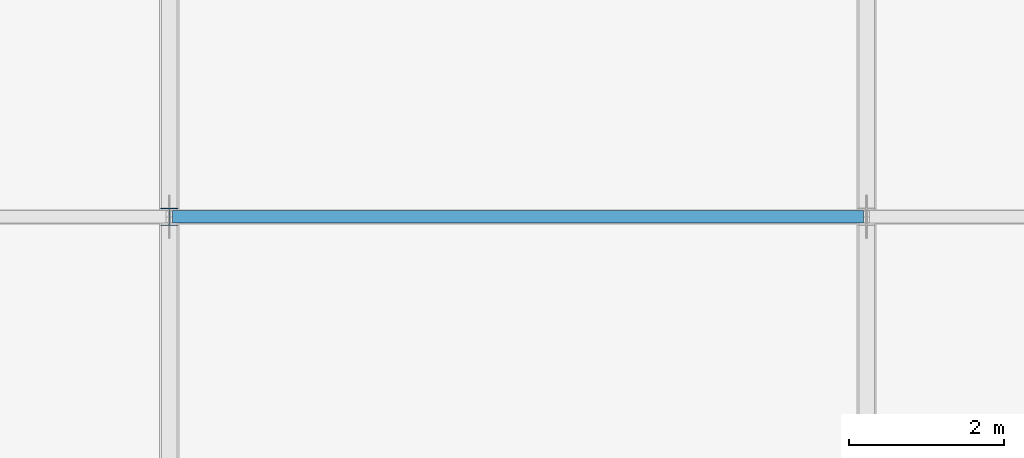
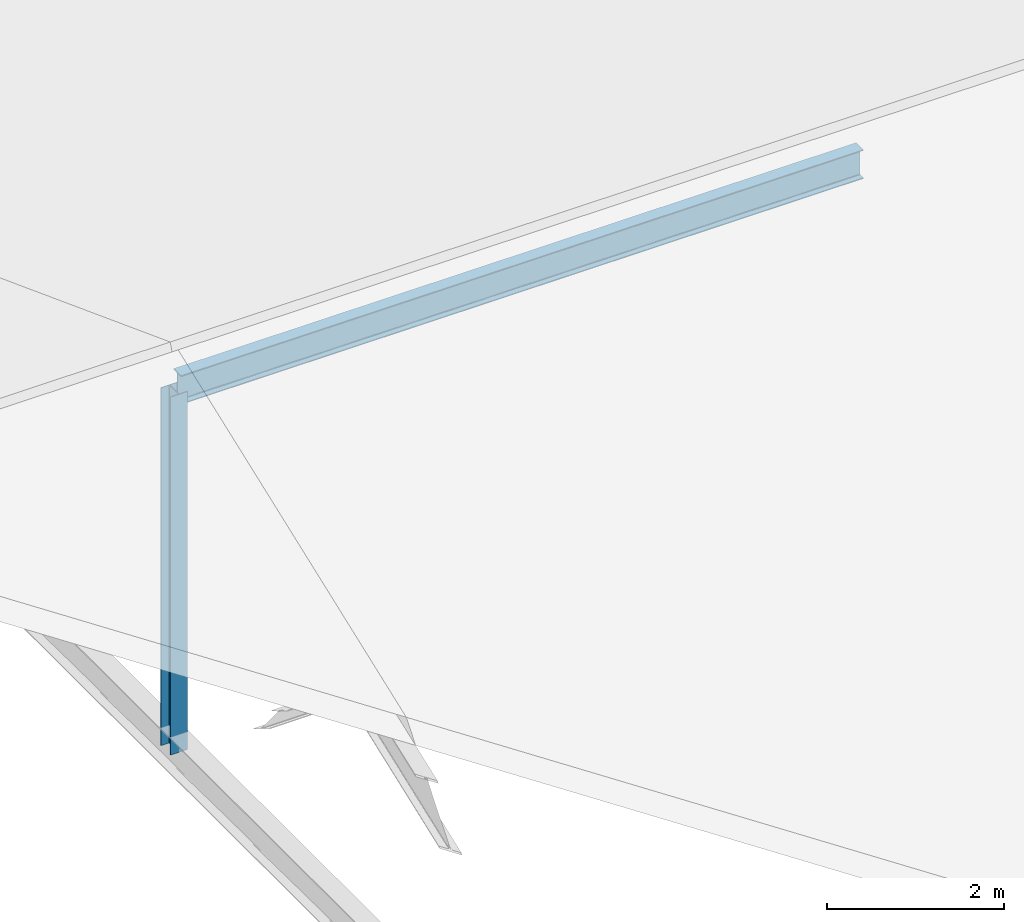
# One storey, part 32 of 163: 2 members.
"""IFC4 building model written with IfcOpenShell, lengths in metres."""

import ifcopenshell
import ifcopenshell.guid

model = None  # the IFC model being written
_history = None  # IfcOwnerHistory: only IFC2X3 demands one
_inside = {}  # id of a spatial element -> (the spatial element, [elements in it])
_under = {}  # id of a project, library or spatial element -> (it, [spatial elements below it])
_declared = {}  # id of a project -> (the project, [libraries it declares])
_typed = {}  # id of a type object -> (the type object, [elements of that type])
_made_of = {}  # id of a material, layer set ... -> (it, [elements and type objects made of it])


def new_model(schema):
    """Start an empty IFC model of exactly this schema.

    Asked for "IFC4X3", IfcOpenShell would pick the latest addendum, in which some entities
    have other attributes; the version numbers below select the first issue.
    IFC2X3 requires an IfcOwnerHistory on every rooted entity: one is made here for all.
    """
    global model, _history
    if schema == "IFC4X3":
        model = ifcopenshell.file(schema_version=(4, 3, 0, 0))
    else:
        model = ifcopenshell.file(schema=schema)
    _inside.clear()
    _under.clear()
    _declared.clear()
    _typed.clear()
    _made_of.clear()
    _history = None
    if model.schema == "IFC2X3":
        org = make("IfcOrganization", Name="unknown")
        user = make(
            "IfcPersonAndOrganization",
            ThePerson=make("IfcPerson", FamilyName="unknown"),
            TheOrganization=org,
        )
        app = make(
            "IfcApplication",
            ApplicationDeveloper=org,
            Version="unknown",
            ApplicationFullName="unknown",
            ApplicationIdentifier="unknown",
        )
        _history = make(
            "IfcOwnerHistory",
            OwningUser=user,
            OwningApplication=app,
            ChangeAction="ADDED",
            CreationDate=0,
        )
    return model


def make(cls, **values):
    """One entity of the class cls with the attributes given. An attribute that is None is left unset."""
    return model.create_entity(
        cls, **{name: value for name, value in values.items() if value is not None}
    )


def rooted(cls, **values):
    """An entity with a GlobalId (a new one), such as an element, a storey or a relation."""
    return make(cls, GlobalId=ifcopenshell.guid.new(), OwnerHistory=_history, **values)


def si_unit(unit_type, name, prefix=None):
    """IfcSIUnit, for example si_unit("LENGTHUNIT", "METRE", prefix="MILLI")."""
    return make("IfcSIUnit", UnitType=unit_type, Prefix=prefix, Name=name)


def assignment(units):
    """IfcUnitAssignment: the units of a project."""
    return None if units is None else make("IfcUnitAssignment", Units=units)


def point(xyz):
    """IfcCartesianPoint."""
    return None if xyz is None else make("IfcCartesianPoint", Coordinates=xyz)


def direction(xyz):
    """IfcDirection."""
    return None if xyz is None else make("IfcDirection", DirectionRatios=xyz)


def frame(location, z_axis=None, x_axis=None):
    """IfcAxis2Placement3D, a coordinate frame: its origin and axes. An axis left out is left unset."""
    return make(
        "IfcAxis2Placement3D",
        Location=point(location),
        Axis=direction(z_axis),
        RefDirection=direction(x_axis),
    )


def frame_2d(location, x_axis=None):
    """IfcAxis2Placement2D, a coordinate frame in the plane: its origin and x axis."""
    return make(
        "IfcAxis2Placement2D", Location=point(location), RefDirection=direction(x_axis)
    )


def origin():
    """The frame at (0, 0, 0) with its axes left unset."""
    return frame((0.0, 0.0, 0.0))


def origin_2d():
    """The frame at (0, 0) in the plane with its x axis left unset."""
    return frame_2d((0.0, 0.0))


def place(relative_to, where):
    """IfcLocalPlacement: puts the frame where relative to a parent placement (None: the world)."""
    return make(
        "IfcLocalPlacement", PlacementRelTo=relative_to, RelativePlacement=where
    )


def context(
    kind, dimensions, precision=None, world=None, true_north=None, identifier=None
):
    """IfcGeometricRepresentationContext, for example the 3D "Model" context."""
    return make(
        "IfcGeometricRepresentationContext",
        ContextIdentifier=identifier,
        ContextType=kind,
        CoordinateSpaceDimension=dimensions,
        Precision=precision,
        WorldCoordinateSystem=world,
        TrueNorth=true_north,
    )


def subcontext(parent, identifier, kind, view, scale=None):
    """IfcGeometricRepresentationSubContext, for example "Body" below "Model"."""
    return make(
        "IfcGeometricRepresentationSubContext",
        ContextIdentifier=identifier,
        ContextType=kind,
        ParentContext=parent,
        TargetScale=scale,
        TargetView=view,
    )


def project(units=None, contexts=None):
    """IfcProject with its units and contexts."""
    return rooted(
        "IfcProject",
        Name="project",
        RepresentationContexts=contexts,
        UnitsInContext=assignment(units),
    )


def spatial(cls, under=None, at=None, **own):
    """A site, building, storey or space (cls), placed at a placement, below another one or the project."""
    s = rooted(cls, ObjectPlacement=at, **own)
    if under is not None:
        _under.setdefault(under.id(), (under, []))[1].append(s)
    return s


def profile(cls, at=None, kind="AREA", **sizes):
    """A parametric profile (cls). Its sizes go by their IFC names, for example OverallWidth=200.0."""
    return make(cls, ProfileType=kind, Position=at, **sizes)


def i_section(**sizes):
    """IfcIShapeProfileDef."""
    return profile("IfcIShapeProfileDef", **sizes)


def extrude(swept, where, along, depth):
    """IfcExtrudedAreaSolid: the profile swept, set in the frame where, extruded along a direction by depth."""
    return make(
        "IfcExtrudedAreaSolid",
        SweptArea=swept,
        Position=where,
        ExtrudedDirection=direction(along),
        Depth=depth,
    )


def shape(context_of_items, identifier, shape_type, items):
    """IfcShapeRepresentation: the items that make up one representation, for example the "Body"."""
    return make(
        "IfcShapeRepresentation",
        ContextOfItems=context_of_items,
        RepresentationIdentifier=identifier,
        RepresentationType=shape_type,
        Items=items,
    )


def material(Name=None, Category=None):
    """IfcMaterial."""
    return make("IfcMaterial", Name=Name, Category=Category)


def material_profile(
    of_material, cross_section, Name=None, Category=None, Priority=None
):
    """IfcMaterialProfile: a cross section and its material."""
    return make(
        "IfcMaterialProfile",
        Name=Name,
        Material=of_material,
        Profile=cross_section,
        Priority=Priority,
        Category=Category,
    )


def profile_set(profiles, Name=None, composite=None):
    """IfcMaterialProfileSet."""
    return make(
        "IfcMaterialProfileSet",
        Name=Name,
        MaterialProfiles=profiles,
        CompositeProfile=composite,
    )


def made_of(thing, what):
    """Note that an element or type object is made of a material, layer set ...; save() writes the relation."""
    if what is not None:
        _made_of.setdefault(what.id(), (what, []))[1].append(thing)
    return thing


def type_object(cls, material=None, **own):
    """A type object (cls), such as IfcWallType, which elements share."""
    return made_of(rooted(cls, **own), material)


def element(
    cls,
    number,
    at=None,
    inside=None,
    cuts=None,
    type_object=None,
    material=None,
    context=None,
    identifier="Body",
    shape_type=None,
    held_by="IfcProductDefinitionShape",
    body=None,
    shapes=None,
    **own,
):
    """One element of the class cls, such as IfcWall. Its Tag is "e" and its number.

    at: its placement. inside: the storey or other place that contains it. cuts: it is an
    opening in that element (IfcRelVoidsElement). A single representation is given by context,
    identifier, shape_type and body (its items); several are given by shapes. held_by: the class
    of the entity that holds the representations. save() writes the other relations.
    """
    e = rooted(cls, Tag="e%d" % number, ObjectPlacement=at, **own)
    if body is not None:
        shapes = [shape(context, identifier, shape_type, body)]
    if shapes is not None:
        e.Representation = make(held_by, Representations=shapes)
    if inside is not None:
        _inside.setdefault(inside.id(), (inside, []))[1].append(e)
    if cuts is not None:
        rooted(
            "IfcRelVoidsElement", RelatingBuildingElement=cuts, RelatedOpeningElement=e
        )
    if type_object is not None:
        _typed.setdefault(type_object.id(), (type_object, []))[1].append(e)
    return made_of(e, material)


def aggregate(whole, parts):
    """IfcRelAggregates: a whole, such as a stair, and the parts it consists of."""
    return rooted("IfcRelAggregates", RelatingObject=whole, RelatedObjects=parts)


def save(model, path):
    """Write the relations noted so far, then the file.

    IfcRelAggregates (storeys below a building ...), IfcRelContainedInSpatialStructure (elements
    in a storey), IfcRelDefinesByType, IfcRelAssociatesMaterial and IfcRelDeclares: one each for
    every whole, place, type object, material and project.
    """
    for whole, parts in _under.values():
        aggregate(whole, parts)
    for where, things in _inside.values():
        rooted(
            "IfcRelContainedInSpatialStructure",
            RelatedElements=things,
            RelatingStructure=where,
        )
    for kind, things in _typed.values():
        rooted("IfcRelDefinesByType", RelatedObjects=things, RelatingType=kind)
    for what, things in _made_of.values():
        rooted("IfcRelAssociatesMaterial", RelatedObjects=things, RelatingMaterial=what)
    for by, libraries in _declared.values():
        rooted("IfcRelDeclares", RelatingContext=by, RelatedDefinitions=libraries)
    model.write(path)


model = new_model("IFC4")

# Units and contexts
model_context = context("Model", 3, precision=1e-05, world=origin(), true_north=direction((0.0, 1.0)))
body_context = subcontext(model_context, "Body", "Model", "MODEL_VIEW")
ifc_project = project(units=[si_unit("LENGTHUNIT", "METRE"), si_unit("AREAUNIT", "SQUARE_METRE"), si_unit("VOLUMEUNIT", "CUBIC_METRE"), si_unit("PLANEANGLEUNIT", "RADIAN"), si_unit("MASSUNIT", "GRAM", prefix="KILO")], contexts=[model_context])

# Site, building, storey
site_placement = place(None, origin())
site = spatial("IfcSite", under=ifc_project, at=site_placement, CompositionType="ELEMENT")
building_placement = place(site_placement, origin())
building = spatial("IfcBuilding", under=site, at=building_placement, Name="Tharagai Park Tramway Depot", CompositionType="ELEMENT")
storey_placement = place(building_placement, frame((0.0, 0.0, 8.39990234375)))
storey = spatial("IfcBuildingStorey", under=building, at=storey_placement, Name="L02", CompositionType="ELEMENT", Elevation=8.39990234375)

# Members
ifc_material = material(Name="Steel E350", Category="steel")
ifc_material_profile_1 = material_profile(ifc_material, i_section(OverallWidth=0.22509765625, OverallDepth=0.22509765625, WebThickness=0.008544921875, FlangeThickness=0.009033203125, FilletRadius=0.010009765625, at=origin_2d()), Name="ISHB 225")
ifc_profile_set_1 = profile_set([ifc_material_profile_1], Name="Steel E350")
member_type_1 = type_object("IfcMemberType", Name="BR-02", PredefinedType="BRACE", material=ifc_profile_set_1)
member_1_placement = place(storey_placement, frame((18.0, 76.5, -0.5), z_axis=(0.0, 0.0, 1.0), x_axis=(1.0, 0.0, 0.0)))
element("IfcMember", 1, at=member_1_placement, inside=storey, type_object=member_type_1, Name="V2B Gable King Strut BR-02", PredefinedType="BRACE", context=body_context, shape_type="SweptSolid", body=[
    extrude(i_section(OverallWidth=0.22509765625, OverallDepth=0.22509765625, WebThickness=0.008544921875, FlangeThickness=0.009033203125, FilletRadius=0.010009765625, at=origin_2d()), origin(), (0.0, 0.0, 1.0), 4.946044921875),
])
ifc_material_profile_2 = material_profile(ifc_material, i_section(OverallWidth=0.1650390625, OverallDepth=0.39990234375, WebThickness=0.008056640625, FlangeThickness=0.012451171875, FilletRadius=0.013916015625, at=origin_2d()), Name="ISLB 400")
ifc_profile_set_2 = profile_set([ifc_material_profile_2], Name="Steel E350")
member_type_2 = type_object("IfcMemberType", Name="TC-04", PredefinedType="CHORD", material=ifc_profile_set_2)
member_2_placement = place(storey_placement, frame((18.0400390625, 76.5, 4.470947265625), z_axis=(1.0, 0.0, 0.0), x_axis=(0.0, 1.0, 0.0)))
element("IfcMember", 2, at=member_2_placement, inside=storey, type_object=member_type_2, Name="V2B Roof Ridge Chord TC-04", PredefinedType="CHORD", context=body_context, shape_type="SweptSolid", body=[
    extrude(i_section(OverallWidth=0.1650390625, OverallDepth=0.39990234375, WebThickness=0.008056640625, FlangeThickness=0.012451171875, FilletRadius=0.013916015625, at=origin_2d()), origin(), (0.0, 0.0, 1.0), 8.919921875),
])

save(model, "model.ifc")
